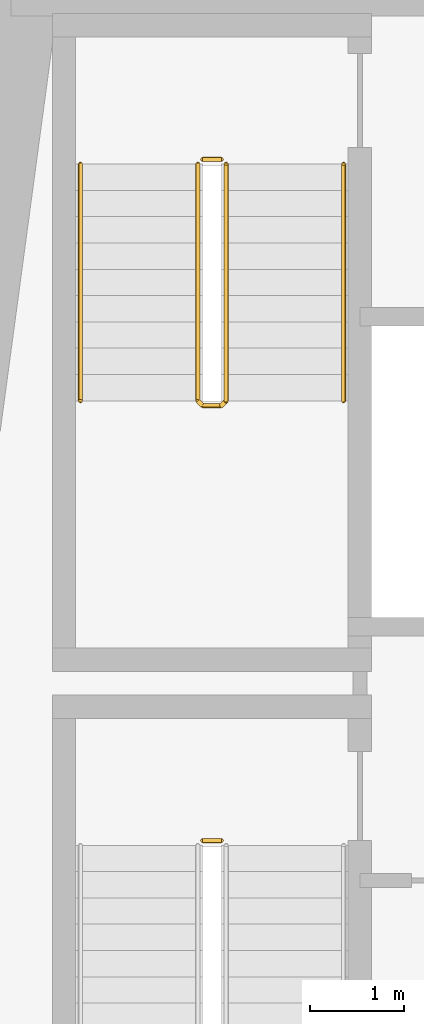
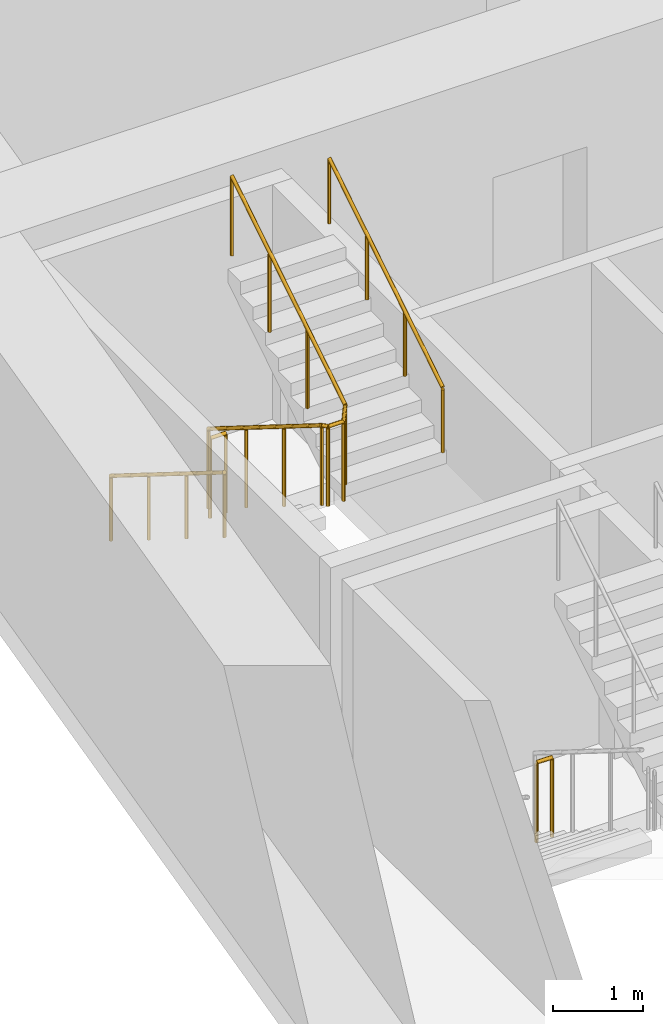
# One storey, part 9 of 12: 5 railings.
"""IFC4 building model written with IfcOpenShell, lengths in metres."""

import ifcopenshell
import ifcopenshell.guid

model = None  # the IFC model being written
_history = None  # IfcOwnerHistory: only IFC2X3 demands one
_inside = {}  # id of a spatial element -> (the spatial element, [elements in it])
_under = {}  # id of a project, library or spatial element -> (it, [spatial elements below it])
_declared = {}  # id of a project -> (the project, [libraries it declares])
_typed = {}  # id of a type object -> (the type object, [elements of that type])
_made_of = {}  # id of a material, layer set ... -> (it, [elements and type objects made of it])


def new_model(schema):
    """Start an empty IFC model of exactly this schema.

    Asked for "IFC4X3", IfcOpenShell would pick the latest addendum, in which some entities
    have other attributes; the version numbers below select the first issue.
    IFC2X3 requires an IfcOwnerHistory on every rooted entity: one is made here for all.
    """
    global model, _history
    if schema == "IFC4X3":
        model = ifcopenshell.file(schema_version=(4, 3, 0, 0))
    else:
        model = ifcopenshell.file(schema=schema)
    _inside.clear()
    _under.clear()
    _declared.clear()
    _typed.clear()
    _made_of.clear()
    _history = None
    if model.schema == "IFC2X3":
        org = make("IfcOrganization", Name="unknown")
        user = make(
            "IfcPersonAndOrganization",
            ThePerson=make("IfcPerson", FamilyName="unknown"),
            TheOrganization=org,
        )
        app = make(
            "IfcApplication",
            ApplicationDeveloper=org,
            Version="unknown",
            ApplicationFullName="unknown",
            ApplicationIdentifier="unknown",
        )
        _history = make(
            "IfcOwnerHistory",
            OwningUser=user,
            OwningApplication=app,
            ChangeAction="ADDED",
            CreationDate=0,
        )
    return model


def make(cls, **values):
    """One entity of the class cls with the attributes given. An attribute that is None is left unset."""
    return model.create_entity(
        cls, **{name: value for name, value in values.items() if value is not None}
    )


def rooted(cls, **values):
    """An entity with a GlobalId (a new one), such as an element, a storey or a relation."""
    return make(cls, GlobalId=ifcopenshell.guid.new(), OwnerHistory=_history, **values)


def si_unit(unit_type, name, prefix=None):
    """IfcSIUnit, for example si_unit("LENGTHUNIT", "METRE", prefix="MILLI")."""
    return make("IfcSIUnit", UnitType=unit_type, Prefix=prefix, Name=name)


def assignment(units):
    """IfcUnitAssignment: the units of a project."""
    return None if units is None else make("IfcUnitAssignment", Units=units)


def point(xyz):
    """IfcCartesianPoint."""
    return None if xyz is None else make("IfcCartesianPoint", Coordinates=xyz)


def direction(xyz):
    """IfcDirection."""
    return None if xyz is None else make("IfcDirection", DirectionRatios=xyz)


def frame(location, z_axis=None, x_axis=None):
    """IfcAxis2Placement3D, a coordinate frame: its origin and axes. An axis left out is left unset."""
    return make(
        "IfcAxis2Placement3D",
        Location=point(location),
        Axis=direction(z_axis),
        RefDirection=direction(x_axis),
    )


def frame_2d(location, x_axis=None):
    """IfcAxis2Placement2D, a coordinate frame in the plane: its origin and x axis."""
    return make(
        "IfcAxis2Placement2D", Location=point(location), RefDirection=direction(x_axis)
    )


def origin():
    """The frame at (0, 0, 0) with its axes left unset."""
    return frame((0.0, 0.0, 0.0))


def origin_2d():
    """The frame at (0, 0) in the plane with its x axis left unset."""
    return frame_2d((0.0, 0.0))


def place(relative_to, where):
    """IfcLocalPlacement: puts the frame where relative to a parent placement (None: the world)."""
    return make(
        "IfcLocalPlacement", PlacementRelTo=relative_to, RelativePlacement=where
    )


def context(
    kind, dimensions, precision=None, world=None, true_north=None, identifier=None
):
    """IfcGeometricRepresentationContext, for example the 3D "Model" context."""
    return make(
        "IfcGeometricRepresentationContext",
        ContextIdentifier=identifier,
        ContextType=kind,
        CoordinateSpaceDimension=dimensions,
        Precision=precision,
        WorldCoordinateSystem=world,
        TrueNorth=true_north,
    )


def subcontext(parent, identifier, kind, view, scale=None):
    """IfcGeometricRepresentationSubContext, for example "Body" below "Model"."""
    return make(
        "IfcGeometricRepresentationSubContext",
        ContextIdentifier=identifier,
        ContextType=kind,
        ParentContext=parent,
        TargetScale=scale,
        TargetView=view,
    )


def project(units=None, contexts=None):
    """IfcProject with its units and contexts."""
    return rooted(
        "IfcProject",
        Name="project",
        RepresentationContexts=contexts,
        UnitsInContext=assignment(units),
    )


def spatial(cls, under=None, at=None, **own):
    """A site, building, storey or space (cls), placed at a placement, below another one or the project."""
    s = rooted(cls, ObjectPlacement=at, **own)
    if under is not None:
        _under.setdefault(under.id(), (under, []))[1].append(s)
    return s


def profile(cls, at=None, kind="AREA", **sizes):
    """A parametric profile (cls). Its sizes go by their IFC names, for example OverallWidth=200.0."""
    return make(cls, ProfileType=kind, Position=at, **sizes)


def circle(**sizes):
    """IfcCircleProfileDef."""
    return profile("IfcCircleProfileDef", **sizes)


def extrude(swept, where, along, depth):
    """IfcExtrudedAreaSolid: the profile swept, set in the frame where, extruded along a direction by depth."""
    return make(
        "IfcExtrudedAreaSolid",
        SweptArea=swept,
        Position=where,
        ExtrudedDirection=direction(along),
        Depth=depth,
    )


def shape(context_of_items, identifier, shape_type, items):
    """IfcShapeRepresentation: the items that make up one representation, for example the "Body"."""
    return make(
        "IfcShapeRepresentation",
        ContextOfItems=context_of_items,
        RepresentationIdentifier=identifier,
        RepresentationType=shape_type,
        Items=items,
    )


def material(Name=None, Category=None):
    """IfcMaterial."""
    return make("IfcMaterial", Name=Name, Category=Category)


def made_of(thing, what):
    """Note that an element or type object is made of a material, layer set ...; save() writes the relation."""
    if what is not None:
        _made_of.setdefault(what.id(), (what, []))[1].append(thing)
    return thing


def type_object(cls, material=None, **own):
    """A type object (cls), such as IfcWallType, which elements share."""
    return made_of(rooted(cls, **own), material)


def element(
    cls,
    number,
    at=None,
    inside=None,
    cuts=None,
    type_object=None,
    material=None,
    context=None,
    identifier="Body",
    shape_type=None,
    held_by="IfcProductDefinitionShape",
    body=None,
    shapes=None,
    **own,
):
    """One element of the class cls, such as IfcWall. Its Tag is "e" and its number.

    at: its placement. inside: the storey or other place that contains it. cuts: it is an
    opening in that element (IfcRelVoidsElement). A single representation is given by context,
    identifier, shape_type and body (its items); several are given by shapes. held_by: the class
    of the entity that holds the representations. save() writes the other relations.
    """
    e = rooted(cls, Tag="e%d" % number, ObjectPlacement=at, **own)
    if body is not None:
        shapes = [shape(context, identifier, shape_type, body)]
    if shapes is not None:
        e.Representation = make(held_by, Representations=shapes)
    if inside is not None:
        _inside.setdefault(inside.id(), (inside, []))[1].append(e)
    if cuts is not None:
        rooted(
            "IfcRelVoidsElement", RelatingBuildingElement=cuts, RelatedOpeningElement=e
        )
    if type_object is not None:
        _typed.setdefault(type_object.id(), (type_object, []))[1].append(e)
    return made_of(e, material)


def aggregate(whole, parts):
    """IfcRelAggregates: a whole, such as a stair, and the parts it consists of."""
    return rooted("IfcRelAggregates", RelatingObject=whole, RelatedObjects=parts)


def save(model, path):
    """Write the relations noted so far, then the file.

    IfcRelAggregates (storeys below a building ...), IfcRelContainedInSpatialStructure (elements
    in a storey), IfcRelDefinesByType, IfcRelAssociatesMaterial and IfcRelDeclares: one each for
    every whole, place, type object, material and project.
    """
    for whole, parts in _under.values():
        aggregate(whole, parts)
    for where, things in _inside.values():
        rooted(
            "IfcRelContainedInSpatialStructure",
            RelatedElements=things,
            RelatingStructure=where,
        )
    for kind, things in _typed.values():
        rooted("IfcRelDefinesByType", RelatedObjects=things, RelatingType=kind)
    for what, things in _made_of.values():
        rooted("IfcRelAssociatesMaterial", RelatedObjects=things, RelatingMaterial=what)
    for by, libraries in _declared.values():
        rooted("IfcRelDeclares", RelatingContext=by, RelatedDefinitions=libraries)
    model.write(path)


model = new_model("IFC4")

# Units and contexts
model_context = context("Model", 3, precision=1e-05, world=origin(), true_north=direction((0.0, 1.0)))
body_context = subcontext(model_context, "Body", "Model", "MODEL_VIEW")
ifc_project = project(units=[si_unit("LENGTHUNIT", "METRE"), si_unit("AREAUNIT", "SQUARE_METRE"), si_unit("VOLUMEUNIT", "CUBIC_METRE"), si_unit("PLANEANGLEUNIT", "RADIAN"), si_unit("MASSUNIT", "GRAM", prefix="KILO")], contexts=[model_context])

# Site, building, storey
site_placement = place(None, origin())
site = spatial("IfcSite", under=ifc_project, at=site_placement, CompositionType="ELEMENT")
building_placement = place(site_placement, origin())
building = spatial("IfcBuilding", under=site, at=building_placement, Name="Candeia Pilgrim Tower and Theatre", CompositionType="ELEMENT")
storey_placement = place(building_placement, frame((0.0, 0.0, 39.0)))
storey = spatial("IfcBuildingStorey", under=building, at=storey_placement, Name="L06", CompositionType="ELEMENT", Elevation=39.0)

# Railings
ifc_material_1 = material(Name="Stainless steel balustrade", Category="steel")
railing_type_1 = type_object("IfcRailingType", Name="RL-GUARD-1100", PredefinedType="GUARDRAIL", material=ifc_material_1)
railing_1_placement = place(storey_placement, frame((91.152099609375, 122.52490234375, 0.0)))
element("IfcRailing", 1, at=railing_1_placement, inside=storey, type_object=railing_type_1, Name="L06 ST1 stair guard 2", PredefinedType="GUARDRAIL", context=body_context, shape_type="SweptSolid", body=[
    extrude(circle(Radius=0.02392578125, at=origin_2d()), frame((0.0, 0.0, 1.076171875), z_axis=(1.0, 0.0, 0.0), x_axis=(0.0, 1.0, 0.0)), (0.0, 0.0, 1.0), 0.199951171875),
    extrude(circle(Radius=0.02099609375, at=origin_2d()), origin(), (0.0, 0.0, 1.0), 1.052001953125),
    extrude(circle(Radius=0.02099609375, at=origin_2d()), frame((0.199951171875, 0.0, 0.0)), (0.0, 0.0, 1.0), 1.052001953125),
])
railing_2_placement = place(storey_placement, frame((91.10205078125, 129.72509765625, 0.175048828125)))
element("IfcRailing", 2, at=railing_2_placement, inside=storey, type_object=railing_type_1, Name="L06 ST2 stair guard 1", PredefinedType="GUARDRAIL", context=body_context, shape_type="SweptSolid", body=[
    extrude(circle(Radius=0.02392578125, at=origin_2d()), frame((0.0, 0.0, 1.076171875), z_axis=(0.0, -0.848007534815, 0.529984170421), x_axis=(1.0, 0.0, 0.0)), (0.0, 0.0, 1.0), 2.9716796875),
    extrude(circle(Radius=0.02392578125, at=origin_2d()), frame((0.0, -2.52001953125, 2.65087890625), z_axis=(0.707106781187, -0.707106781187, 0.0), x_axis=(0.707106781187, 0.707106781187, 0.0)), (0.0, 0.0, 1.0), 0.07080078125),
    extrude(circle(Radius=0.02392578125, at=origin_2d()), frame((0.050048828125, -2.570068359375, 2.65087890625), z_axis=(1.0, 0.0, 0.0), x_axis=(0.0, 1.0, 0.0)), (0.0, 0.0, 1.0), 0.199951171875),
    extrude(circle(Radius=0.02392578125, at=origin_2d()), frame((0.25, -2.570068359375, 2.65087890625), z_axis=(0.265065253269, 0.265065253269, 0.927081885822), x_axis=(-0.707106781187, 0.707106781187, 0.0)), (0.0, 0.0, 1.0), 0.188720703125),
    extrude(circle(Radius=0.02392578125, at=origin_2d()), frame((0.300048828125, -2.52001953125, 2.826171875), z_axis=(0.0, 0.848007534815, 0.529984170421), x_axis=(-1.0, 0.0, 0.0)), (0.0, 0.0, 1.0), 2.9716796875),
    extrude(circle(Radius=0.02099609375, at=origin_2d()), origin(), (0.0, 0.0, 1.0), 1.052001953125),
    extrude(circle(Radius=0.02099609375, at=origin_2d()), frame((0.0, -0.840087890625, 0.52490234375)), (0.0, 0.0, 1.0), 1.052001953125),
    extrude(circle(Radius=0.02099609375, at=origin_2d()), frame((0.0, -1.679931640625, 1.050048828125)), (0.0, 0.0, 1.0), 1.052001953125),
    extrude(circle(Radius=0.02099609375, at=origin_2d()), frame((0.0, -2.52001953125, 1.574951171875)), (0.0, 0.0, 1.0), 1.052001953125),
    extrude(circle(Radius=0.02099609375, at=origin_2d()), frame((0.050048828125, -2.570068359375, 1.574951171875)), (0.0, 0.0, 1.0), 1.052001953125),
    extrude(circle(Radius=0.02099609375, at=origin_2d()), frame((0.25, -2.570068359375, 1.574951171875)), (0.0, 0.0, 1.0), 1.052001953125),
    extrude(circle(Radius=0.02099609375, at=origin_2d()), frame((0.300048828125, -2.52001953125, 1.75)), (0.0, 0.0, 1.0), 1.052001953125),
    extrude(circle(Radius=0.02099609375, at=origin_2d()), frame((0.300048828125, -1.679931640625, 2.27490234375)), (0.0, 0.0, 1.0), 1.052001953125),
    extrude(circle(Radius=0.02099609375, at=origin_2d()), frame((0.300048828125, -0.840087890625, 2.800048828125)), (0.0, 0.0, 1.0), 1.052001953125),
    extrude(circle(Radius=0.02099609375, at=origin_2d()), frame((0.300048828125, 0.0, 3.324951171875)), (0.0, 0.0, 1.0), 1.052001953125),
])
railing_3_placement = place(storey_placement, frame((91.152099609375, 129.77490234375, 0.0)))
element("IfcRailing", 3, at=railing_3_placement, inside=storey, type_object=railing_type_1, Name="L06 ST2 stair guard 2", PredefinedType="GUARDRAIL", context=body_context, shape_type="SweptSolid", body=[
    extrude(circle(Radius=0.02392578125, at=origin_2d()), frame((0.0, 0.0, 1.076171875), z_axis=(1.0, 0.0, 0.0), x_axis=(0.0, 1.0, 0.0)), (0.0, 0.0, 1.0), 0.199951171875),
    extrude(circle(Radius=0.02099609375, at=origin_2d()), origin(), (0.0, 0.0, 1.0), 1.052001953125),
    extrude(circle(Radius=0.02099609375, at=origin_2d()), frame((0.199951171875, 0.0, 0.0)), (0.0, 0.0, 1.0), 1.052001953125),
])
ifc_material_2 = material(Name="Stainless steel handrail", Category="steel")
railing_type_2 = type_object("IfcRailingType", Name="RL-HANDRAIL-900", PredefinedType="HANDRAIL", material=ifc_material_2)
railing_4_placement = place(storey_placement, frame((89.85205078125, 129.72509765625, 0.175048828125)))
element("IfcRailing", 4, at=railing_4_placement, inside=storey, type_object=railing_type_2, Name="L06 ST2 stair handrail 1", PredefinedType="HANDRAIL", context=body_context, shape_type="SweptSolid", body=[
    extrude(circle(Radius=0.02392578125, at=origin_2d()), frame((0.0, 0.0, 0.8759765625), z_axis=(0.0, -0.848007534815, 0.529984170421), x_axis=(1.0, 0.0, 0.0)), (0.0, 0.0, 1.0), 2.9716796875),
    extrude(circle(Radius=0.02099609375, at=origin_2d()), origin(), (0.0, 0.0, 1.0), 0.851806640625),
    extrude(circle(Radius=0.02099609375, at=origin_2d()), frame((0.0, -0.840087890625, 0.52490234375)), (0.0, 0.0, 1.0), 0.851806640625),
    extrude(circle(Radius=0.02099609375, at=origin_2d()), frame((0.0, -1.679931640625, 1.050048828125)), (0.0, 0.0, 1.0), 0.851806640625),
    extrude(circle(Radius=0.02099609375, at=origin_2d()), frame((0.0, -2.52001953125, 1.574951171875)), (0.0, 0.0, 1.0), 0.851806640625),
])
railing_5_placement = place(storey_placement, frame((92.652099609375, 127.205078125, 1.925048828125)))
element("IfcRailing", 5, at=railing_5_placement, inside=storey, type_object=railing_type_2, Name="L06 ST2 stair handrail 2", PredefinedType="HANDRAIL", context=body_context, shape_type="SweptSolid", body=[
    extrude(circle(Radius=0.02392578125, at=origin_2d()), frame((0.0, 0.0, 0.8759765625), z_axis=(0.0, 0.848007534815, 0.529984170421), x_axis=(-1.0, 0.0, 0.0)), (0.0, 0.0, 1.0), 2.9716796875),
    extrude(circle(Radius=0.02099609375, at=origin_2d()), origin(), (0.0, 0.0, 1.0), 0.851806640625),
    extrude(circle(Radius=0.02099609375, at=origin_2d()), frame((0.0, 0.840087890625, 0.52490234375)), (0.0, 0.0, 1.0), 0.851806640625),
    extrude(circle(Radius=0.02099609375, at=origin_2d()), frame((0.0, 1.679931640625, 1.050048828125)), (0.0, 0.0, 1.0), 0.851806640625),
    extrude(circle(Radius=0.02099609375, at=origin_2d()), frame((0.0, 2.52001953125, 1.574951171875)), (0.0, 0.0, 1.0), 0.851806640625),
])

save(model, "model.ifc")
